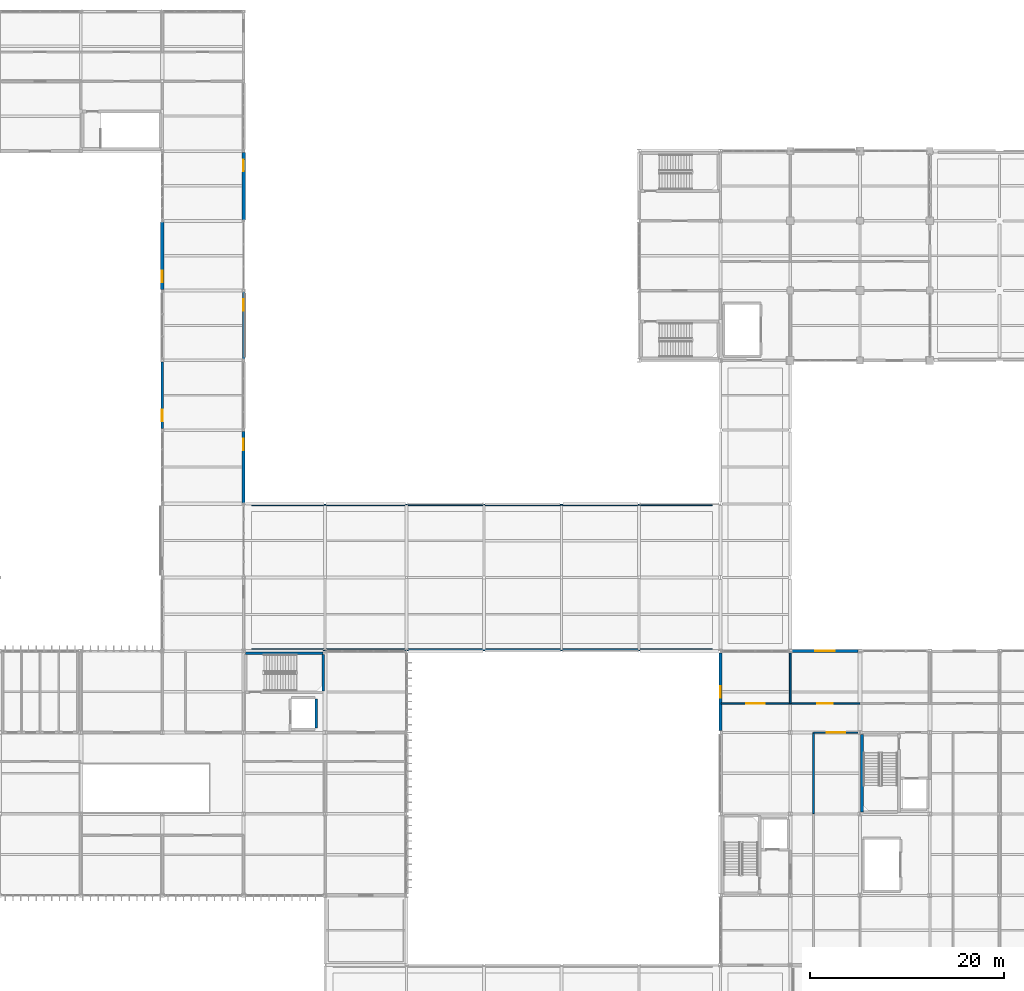
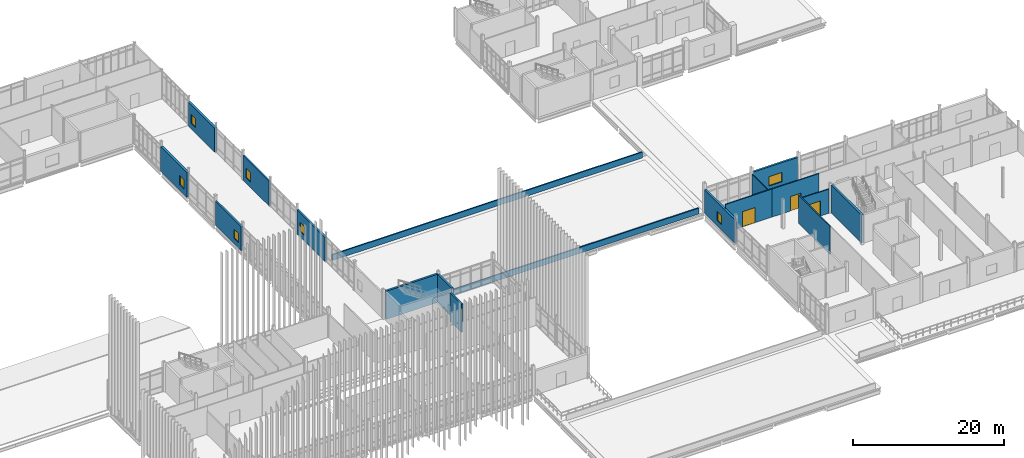
# One storey, part 129 of 153: 18 walls, 7 windows, 3 doors, 10 openings.
"""IFC4 building model written with IfcOpenShell, lengths in metres."""

from ifc_helpers import new_model, si_unit, direction, frame, frame_2d, origin, place, context, subcontext, project, spatial, rectangle, extrude, material, layer, layer_set, type_object, element, fill, save


model = new_model("IFC4")

# Units and contexts
model_context = context("Model", 3, precision=1e-05, world=origin(), true_north=direction((0.0, 1.0)))
body_context = subcontext(model_context, "Body", "Model", "MODEL_VIEW")
ifc_project = project(units=[si_unit("LENGTHUNIT", "METRE"), si_unit("AREAUNIT", "SQUARE_METRE"), si_unit("VOLUMEUNIT", "CUBIC_METRE"), si_unit("PLANEANGLEUNIT", "RADIAN"), si_unit("MASSUNIT", "GRAM", prefix="KILO")], contexts=[model_context])

# Site, building, storey
site_placement = place(None, origin())
site = spatial("IfcSite", under=ifc_project, at=site_placement, CompositionType="ELEMENT")
building_placement = place(site_placement, origin())
building = spatial("IfcBuilding", under=site, at=building_placement, Name="Calvrana Isthmian Art Gallery", CompositionType="ELEMENT")
storey_placement = place(building_placement, frame((0.0, 0.0, 10.199951171875)))
storey = spatial("IfcBuildingStorey", under=building, at=storey_placement, Name="L02", CompositionType="ELEMENT", Elevation=10.199951171875)

# Walls
ifc_material_1 = material(Name="Concrete C40/50", Category="concrete")
ifc_layer_1 = layer(ifc_material_1, 0.300048828125, Name="Concrete C40/50")
ifc_layer_set_1 = layer_set([ifc_layer_1], Name="Concrete C40/50")
wall_type_1 = type_object("IfcWallType", Name="CW-SHAFT-300", PredefinedType="SHEAR", material=ifc_layer_set_1)
wall_1_placement = place(storey_placement, frame((63.7900390625, 46.580078125, 0.0), z_axis=(0.0, 0.0, 1.0), x_axis=(1.0, 0.0, 0.0)))
element("IfcWall", 1, at=wall_1_placement, inside=storey, type_object=wall_type_1, Name="Core C2 shear wall N L02", PredefinedType="SHEAR", context=body_context, shape_type="SweptSolid", body=[
    extrude(rectangle(XDim=8.02001953125, YDim=0.300048828125, at=frame_2d((4.010009765625, 0.0))), origin(), (0.0, 0.0, 1.0), 4.56005859375),
])
wall_2_placement = place(storey_placement, frame((71.81005859375, 42.7099609375, 0.0), z_axis=(0.0, 0.0, 1.0), x_axis=(0.0, 1.0, 0.0)))
element("IfcWall", 2, at=wall_2_placement, inside=storey, type_object=wall_type_1, Name="Core C2 shear wall E L02", PredefinedType="SHEAR", context=body_context, shape_type="SweptSolid", body=[
    extrude(rectangle(XDim=3.719970703125, YDim=0.300048828125, at=frame_2d((1.85986328125, 0.0))), origin(), (0.0, 0.0, 1.0), 4.56005859375),
])
wall_3_placement = place(storey_placement, frame((127.39990234375, 30.18994140625, 0.0), z_axis=(0.0, 0.0, 1.0), x_axis=(0.0, 1.0, 0.0)))
element("IfcWall", 3, at=wall_3_placement, inside=storey, type_object=wall_type_1, Name="Core C4 shear wall W L02", PredefinedType="SHEAR", context=body_context, shape_type="SweptSolid", body=[
    extrude(rectangle(XDim=8.02001953125, YDim=0.300048828125, at=frame_2d((4.010009765625, 0.0))), origin(), (0.0, 0.0, 1.0), 4.56005859375),
])

# Wall, opening, window
ifc_material_2 = material(Name="Pale Isthmian limestone", Category="masonry")
ifc_layer_2 = layer(ifc_material_2, 0.300048828125, Name="Pale Isthmian limestone")
ifc_layer_set_2 = layer_set([ifc_layer_2], Name="Pale Isthmian limestone")
wall_type_2 = type_object("IfcWallType", Name="EW-LIME-300", PredefinedType="SOLIDWALL", material=ifc_layer_set_2)
wall_4_placement = place(storey_placement, frame((120.197998046875, 46.800048828125, 0.0), z_axis=(0.0, 0.0, 1.0), x_axis=(1.0, 0.0, 0.0)))
wall_4 = element("IfcWall", 4, at=wall_4_placement, inside=storey, type_object=wall_type_2, Name="Exterior wall EW-118", PredefinedType="SOLIDWALL", context=body_context, shape_type="SweptSolid", body=[
    extrude(rectangle(XDim=6.804931640625, YDim=0.300048828125, at=frame_2d((3.40234375, 0.0))), origin(), (0.0, 0.0, 1.0), 3.990966796875),
])
opening_1_placement = place(wall_4_placement, frame((2.402587890625, 0.0, 0.89990234375)))
opening_1 = element("IfcOpeningElement", 5, at=opening_1_placement, cuts=wall_4, Name="Opening W-076", PredefinedType="OPENING", context=body_context, shape_type="SweptSolid", body=[
    extrude(rectangle(XDim=2.0, YDim=1.5, at=frame_2d((1.0, 0.75))), frame((0.0, 0.16015625, 0.0), z_axis=(0.0, -1.0, 0.0), x_axis=(1.0, 0.0, 0.0)), (0.0, 0.0, 1.0), 0.320556640625),
])
ifc_material_3 = material(Name="Low-E laminated solar glass", Category="glass")
window_type_1 = type_object("IfcWindowType", Name="WN-G06", PartitioningType="DOUBLE_PANEL_VERTICAL", PredefinedType="WINDOW", material=ifc_material_3)
window_1_placement = place(opening_1_placement, origin())
window_1 = element("IfcWindow", 6, at=window_1_placement, inside=storey, type_object=window_type_1, Name="Facade window W-076", OverallHeight=1.5, OverallWidth=2.0, PartitioningType="SINGLE_PANEL", PredefinedType="WINDOW", context=body_context, shape_type="SweptSolid", body=[
    extrude(rectangle(XDim=2.0, YDim=1.5, at=frame_2d((1.0, 0.75))), frame((0.0, 0.030029296875, 0.0), z_axis=(0.0, -1.0, 0.0), x_axis=(1.0, 0.0, 0.0)), (0.0, 0.0, 1.0), 0.06005859375),
])
fill(opening_1, window_1)

wall_5_placement = place(storey_placement, frame((63.60009765625, 69.472900390625, 0.0), z_axis=(0.0, 0.0, 1.0), x_axis=(0.0, -1.0, 0.0)))
wall_5 = element("IfcWall", 7, at=wall_5_placement, inside=storey, type_object=wall_type_2, Name="Exterior wall EW-134", PredefinedType="SOLIDWALL", context=body_context, shape_type="SweptSolid", body=[
    extrude(rectangle(XDim=7.371337890625, YDim=0.300048828125, at=frame_2d((3.685546875, 0.0))), origin(), (0.0, 0.0, 1.0), 3.927978515625),
])
opening_2_placement = place(wall_5_placement, frame((0.75, 0.0, 0.89990234375)))
opening_2 = element("IfcOpeningElement", 8, at=opening_2_placement, cuts=wall_5, Name="Opening W-091", PredefinedType="OPENING", context=body_context, shape_type="SweptSolid", body=[
    extrude(rectangle(XDim=1.199951171875, YDim=1.5, at=frame_2d((0.60009765625, 0.75))), frame((0.0, 0.16015625, 0.0), z_axis=(0.0, -1.0, 0.0), x_axis=(1.0, 0.0, 0.0)), (0.0, 0.0, 1.0), 0.320556640625),
])
window_type_2 = type_object("IfcWindowType", Name="WN-G01", PartitioningType="SINGLE_PANEL", PredefinedType="WINDOW", material=ifc_material_3)
window_2_placement = place(opening_2_placement, origin())
window_2 = element("IfcWindow", 9, at=window_2_placement, inside=storey, type_object=window_type_2, Name="Facade window W-091", OverallHeight=1.5, OverallWidth=1.199951171875, PartitioningType="SINGLE_PANEL", PredefinedType="WINDOW", context=body_context, shape_type="SweptSolid", body=[
    extrude(rectangle(XDim=1.199951171875, YDim=1.5, at=frame_2d((0.60009765625, 0.75))), frame((0.0, 0.030029296875, 0.0), z_axis=(0.0, -1.0, 0.0), x_axis=(1.0, 0.0, 0.0)), (0.0, 0.0, 1.0), 0.06005859375),
])
fill(opening_2, window_2)

wall_6_placement = place(storey_placement, frame((112.800048828125, 38.590576171875, 0.0), z_axis=(0.0, 0.0, 1.0), x_axis=(0.0, 1.0, 0.0)))
wall_6 = element("IfcWall", 10, at=wall_6_placement, inside=storey, type_object=wall_type_2, Name="Exterior wall EW-138", PredefinedType="SOLIDWALL", context=body_context, shape_type="SweptSolid", body=[
    extrude(rectangle(XDim=8.016357421875, YDim=0.300048828125, at=frame_2d((4.00830078125, 0.0))), origin(), (0.0, 0.0, 1.0), 3.84716796875),
])
opening_3_placement = place(wall_6_placement, frame((3.408203125, 0.0, 0.89990234375)))
opening_3 = element("IfcOpeningElement", 11, at=opening_3_placement, cuts=wall_6, Name="Opening W-095", PredefinedType="OPENING", context=body_context, shape_type="SweptSolid", body=[
    extrude(rectangle(XDim=1.199951171875, YDim=1.5, at=frame_2d((0.60009765625, 0.75))), frame((0.0, 0.16015625, 0.0), z_axis=(0.0, -1.0, 0.0), x_axis=(1.0, 0.0, 0.0)), (0.0, 0.0, 1.0), 0.320556640625),
])
window_3_placement = place(opening_3_placement, origin())
window_3 = element("IfcWindow", 12, at=window_3_placement, inside=storey, type_object=window_type_2, Name="Facade window W-095", OverallHeight=1.5, OverallWidth=1.199951171875, PartitioningType="SINGLE_PANEL", PredefinedType="WINDOW", context=body_context, shape_type="SweptSolid", body=[
    extrude(rectangle(XDim=1.199951171875, YDim=1.5, at=frame_2d((0.60009765625, 0.75))), frame((0.0, 0.030029296875, 0.0), z_axis=(0.0, -1.0, 0.0), x_axis=(1.0, 0.0, 0.0)), (0.0, 0.0, 1.0), 0.06005859375),
])
fill(opening_3, window_3)

ifc_material_4 = material(Name="Precast concrete C40/50", Category="concrete")
ifc_layer_3 = layer(ifc_material_4, 0.35009765625, Name="Precast concrete C40/50")
ifc_layer_set_3 = layer_set([ifc_layer_3], Name="Precast concrete C40/50")
wall_type_3 = type_object("IfcWallType", Name="EW-PREC-350", PredefinedType="SOLIDWALL", material=ifc_layer_set_3)
wall_7_placement = place(storey_placement, frame((55.199951171875, 84.1015625, 0.0), z_axis=(0.0, 0.0, 1.0), x_axis=(0.0, 1.0, 0.0)))
wall_7 = element("IfcWall", 13, at=wall_7_placement, inside=storey, type_object=wall_type_3, Name="Exterior wall EW-132", PredefinedType="SOLIDWALL", context=body_context, shape_type="SweptSolid", body=[
    extrude(rectangle(XDim=6.971435546875, YDim=0.35009765625, at=frame_2d((3.48583984375, 0.0))), origin(), (0.0, 0.0, 1.0), 4.007080078125),
])
opening_4_placement = place(wall_7_placement, frame((0.75, 0.0, 0.89990234375)))
opening_4 = element("IfcOpeningElement", 14, at=opening_4_placement, cuts=wall_7, Name="Opening W-089", PredefinedType="OPENING", context=body_context, shape_type="SweptSolid", body=[
    extrude(rectangle(XDim=1.199951171875, YDim=1.5, at=frame_2d((0.60009765625, 0.75))), frame((0.0, 0.185302734375, 0.0), z_axis=(0.0, -1.0, 0.0), x_axis=(1.0, 0.0, 0.0)), (0.0, 0.0, 1.0), 0.37060546875),
])
window_4_placement = place(opening_4_placement, origin())
window_4 = element("IfcWindow", 15, at=window_4_placement, inside=storey, type_object=window_type_2, Name="Facade window W-089", OverallHeight=1.5, OverallWidth=1.199951171875, PartitioningType="SINGLE_PANEL", PredefinedType="WINDOW", context=body_context, shape_type="SweptSolid", body=[
    extrude(rectangle(XDim=1.199951171875, YDim=1.5, at=frame_2d((0.60009765625, 0.75))), frame((0.0, 0.030029296875, 0.0), z_axis=(0.0, -1.0, 0.0), x_axis=(1.0, 0.0, 0.0)), (0.0, 0.0, 1.0), 0.06005859375),
])
fill(opening_4, window_4)

wall_8_placement = place(storey_placement, frame((63.60009765625, 98.27294921875, 0.0), z_axis=(0.0, 0.0, 1.0), x_axis=(0.0, -1.0, 0.0)))
wall_8 = element("IfcWall", 16, at=wall_8_placement, inside=storey, type_object=wall_type_3, Name="Exterior wall EW-136", PredefinedType="SOLIDWALL", context=body_context, shape_type="SweptSolid", body=[
    extrude(rectangle(XDim=6.971435546875, YDim=0.35009765625, at=frame_2d((3.48583984375, 0.0))), origin(), (0.0, 0.0, 1.0), 3.927978515625),
])
opening_5_placement = place(wall_8_placement, frame((0.75, 0.0, 0.89990234375)))
opening_5 = element("IfcOpeningElement", 17, at=opening_5_placement, cuts=wall_8, Name="Opening W-093", PredefinedType="OPENING", context=body_context, shape_type="SweptSolid", body=[
    extrude(rectangle(XDim=1.199951171875, YDim=1.5, at=frame_2d((0.60009765625, 0.75))), frame((0.0, 0.185302734375, 0.0), z_axis=(0.0, -1.0, 0.0), x_axis=(1.0, 0.0, 0.0)), (0.0, 0.0, 1.0), 0.37060546875),
])
window_5_placement = place(opening_5_placement, origin())
window_5 = element("IfcWindow", 18, at=window_5_placement, inside=storey, type_object=window_type_2, Name="Facade window W-093", OverallHeight=1.5, OverallWidth=1.199951171875, PartitioningType="SINGLE_PANEL", PredefinedType="WINDOW", context=body_context, shape_type="SweptSolid", body=[
    extrude(rectangle(XDim=1.199951171875, YDim=1.5, at=frame_2d((0.60009765625, 0.75))), frame((0.0, 0.030029296875, 0.0), z_axis=(0.0, -1.0, 0.0), x_axis=(1.0, 0.0, 0.0)), (0.0, 0.0, 1.0), 0.06005859375),
])
fill(opening_5, window_5)

ifc_material_5 = material(Name="Polychrome glazed terracotta", Category="masonry")
ifc_layer_4 = layer(ifc_material_5, 0.25, Name="Polychrome glazed terracotta")
ifc_layer_set_4 = layer_set([ifc_layer_4], Name="Polychrome glazed terracotta")
wall_type_4 = type_object("IfcWallType", Name="EW-TERRA-250", PredefinedType="SOLIDWALL", material=ifc_layer_set_4)
wall_9_placement = place(storey_placement, frame((55.199951171875, 69.75244140625, 0.0), z_axis=(0.0, 0.0, 1.0), x_axis=(0.0, 1.0, 0.0)))
wall_9 = element("IfcWall", 19, at=wall_9_placement, inside=storey, type_object=wall_type_4, Name="Exterior wall EW-131", PredefinedType="SOLIDWALL", context=body_context, shape_type="SweptSolid", body=[
    extrude(rectangle(XDim=6.895263671875, YDim=0.25, at=frame_2d((3.44775390625, 0.0))), origin(), (0.0, 0.0, 1.0), 3.927978515625),
])
opening_6_placement = place(wall_9_placement, frame((0.75, 0.0, 0.89990234375)))
opening_6 = element("IfcOpeningElement", 20, at=opening_6_placement, cuts=wall_9, Name="Opening W-088", PredefinedType="OPENING", context=body_context, shape_type="SweptSolid", body=[
    extrude(rectangle(XDim=1.199951171875, YDim=1.5, at=frame_2d((0.60009765625, 0.75))), frame((0.0, 0.13525390625, 0.0), z_axis=(0.0, -1.0, 0.0), x_axis=(1.0, 0.0, 0.0)), (0.0, 0.0, 1.0), 0.2705078125),
])
window_6_placement = place(opening_6_placement, origin())
window_6 = element("IfcWindow", 21, at=window_6_placement, inside=storey, type_object=window_type_2, Name="Facade window W-088", OverallHeight=1.5, OverallWidth=1.199951171875, PartitioningType="SINGLE_PANEL", PredefinedType="WINDOW", context=body_context, shape_type="SweptSolid", body=[
    extrude(rectangle(XDim=1.199951171875, YDim=1.5, at=frame_2d((0.60009765625, 0.75))), frame((0.0, 0.030029296875, 0.0), z_axis=(0.0, -1.0, 0.0), x_axis=(1.0, 0.0, 0.0)), (0.0, 0.0, 1.0), 0.06005859375),
])
fill(opening_6, window_6)

wall_10_placement = place(storey_placement, frame((63.60009765625, 83.84765625, 0.0), z_axis=(0.0, 0.0, 1.0), x_axis=(0.0, -1.0, 0.0)))
wall_10 = element("IfcWall", 22, at=wall_10_placement, inside=storey, type_object=wall_type_4, Name="Exterior wall EW-135", PredefinedType="SOLIDWALL", context=body_context, shape_type="SweptSolid", body=[
    extrude(rectangle(XDim=6.895263671875, YDim=0.25, at=frame_2d((3.44775390625, 0.0))), origin(), (0.0, 0.0, 1.0), 4.007080078125),
])
opening_7_placement = place(wall_10_placement, frame((0.75, 0.0, 0.89990234375)))
opening_7 = element("IfcOpeningElement", 23, at=opening_7_placement, cuts=wall_10, Name="Opening W-092", PredefinedType="OPENING", context=body_context, shape_type="SweptSolid", body=[
    extrude(rectangle(XDim=1.199951171875, YDim=1.5, at=frame_2d((0.60009765625, 0.75))), frame((0.0, 0.13525390625, 0.0), z_axis=(0.0, -1.0, 0.0), x_axis=(1.0, 0.0, 0.0)), (0.0, 0.0, 1.0), 0.2705078125),
])
window_7_placement = place(opening_7_placement, origin())
window_7 = element("IfcWindow", 24, at=window_7_placement, inside=storey, type_object=window_type_2, Name="Facade window W-092", OverallHeight=1.5, OverallWidth=1.199951171875, PartitioningType="SINGLE_PANEL", PredefinedType="WINDOW", context=body_context, shape_type="SweptSolid", body=[
    extrude(rectangle(XDim=1.199951171875, YDim=1.5, at=frame_2d((0.60009765625, 0.75))), frame((0.0, 0.030029296875, 0.0), z_axis=(0.0, -1.0, 0.0), x_axis=(1.0, 0.0, 0.0)), (0.0, 0.0, 1.0), 0.06005859375),
])
fill(opening_7, window_7)

# Wall
ifc_material_6 = material(Name="Acoustic gypsum ceiling", Category="gypsum")
ifc_layer_5 = layer(ifc_material_6, 0.159912109375, Name="Acoustic gypsum ceiling")
ifc_layer_set_5 = layer_set([ifc_layer_5], Name="Acoustic gypsum ceiling")
wall_type_5 = type_object("IfcWallType", Name="PW-GAL-160", PredefinedType="PARTITIONING", material=ifc_layer_set_5)
wall_11_placement = place(storey_placement, frame((122.39990234375, 30.02001953125, 0.0), z_axis=(0.0, 0.0, 1.0), x_axis=(0.0, 1.0, 0.0)))
element("IfcWall", 25, at=wall_11_placement, inside=storey, type_object=wall_type_5, Name="Interior partition PW-473", PredefinedType="PARTITIONING", context=body_context, shape_type="SweptSolid", body=[
    extrude(rectangle(XDim=8.35986328125, YDim=0.159912109375, at=frame_2d((4.179931640625, 0.0))), origin(), (0.0, 0.0, 1.0), 4.5400390625),
])

# Wall, opening, door
wall_12_placement = place(storey_placement, frame((122.39990234375, 38.39990234375, 0.0), z_axis=(0.0, 0.0, 1.0), x_axis=(1.0, 0.0, 0.0)))
wall_12 = element("IfcWall", 26, at=wall_12_placement, inside=storey, type_object=wall_type_5, Name="Interior partition PW-474", PredefinedType="PARTITIONING", context=body_context, shape_type="SweptSolid", body=[
    extrude(rectangle(XDim=4.5986328125, YDim=0.159912109375, at=frame_2d((2.29931640625, 0.0))), origin(), (0.0, 0.0, 1.0), 3.93310546875),
])
opening_8_placement = place(wall_12_placement, frame((1.349365234375, 0.0, 0.0)))
opening_8 = element("IfcOpeningElement", 27, at=opening_8_placement, cuts=wall_12, Name="Opening D-442", PredefinedType="OPENING", context=body_context, shape_type="SweptSolid", body=[
    extrude(rectangle(XDim=1.89990234375, YDim=2.449951171875, at=frame_2d((0.949951171875, 1.22509765625))), frame((0.0, 0.09033203125, 0.0), z_axis=(0.0, -1.0, 0.0), x_axis=(1.0, 0.0, 0.0)), (0.0, 0.0, 1.0), 0.180419921875),
])
ifc_material_7 = material(Name="Timber gallery flooring", Category="wood")
door_type_1 = type_object("IfcDoorType", Name="DR-GAL-1900", OperationType="DOUBLE_DOOR_SINGLE_SWING", PredefinedType="DOOR", material=ifc_material_7)
door_1_placement = place(opening_8_placement, origin())
door_1 = element("IfcDoor", 28, at=door_1_placement, inside=storey, type_object=door_type_1, Name="Interior door D-442", OperationType="DOUBLE_DOOR_SINGLE_SWING", OverallHeight=2.449951171875, OverallWidth=1.89990234375, PredefinedType="DOOR", context=body_context, shape_type="SweptSolid", body=[
    extrude(rectangle(XDim=1.89990234375, YDim=2.449951171875, at=frame_2d((0.949951171875, 1.22509765625))), frame((0.0, 0.02490234375, 0.0), z_axis=(0.0, -1.0, 0.0), x_axis=(1.0, 0.0, 0.0)), (0.0, 0.0, 1.0), 0.050048828125),
])
fill(opening_8, door_1)

wall_13_placement = place(storey_placement, frame((112.860107421875, 41.409912109375, 0.0), z_axis=(0.0, 0.0, 1.0), x_axis=(1.0, 0.0, 0.0)))
wall_13 = element("IfcWall", 29, at=wall_13_placement, inside=storey, type_object=wall_type_5, Name="Interior partition PW-485", PredefinedType="PARTITIONING", context=body_context, shape_type="SweptSolid", body=[
    extrude(rectangle(XDim=7.1298828125, YDim=0.159912109375, at=frame_2d((3.56494140625, 0.0))), origin(), (0.0, 0.0, 1.0), 4.5400390625),
])
opening_9_placement = place(wall_13_placement, frame((2.614990234375, 0.0, 0.0)))
opening_9 = element("IfcOpeningElement", 30, at=opening_9_placement, cuts=wall_13, Name="Opening D-446", PredefinedType="OPENING", context=body_context, shape_type="SweptSolid", body=[
    extrude(rectangle(XDim=1.89990234375, YDim=2.449951171875, at=frame_2d((0.949951171875, 1.22509765625))), frame((0.0, 0.09033203125, 0.0), z_axis=(0.0, -1.0, 0.0), x_axis=(1.0, 0.0, 0.0)), (0.0, 0.0, 1.0), 0.180419921875),
])
door_2_placement = place(opening_9_placement, origin())
door_2 = element("IfcDoor", 31, at=door_2_placement, inside=storey, type_object=door_type_1, Name="Interior door D-446", OperationType="DOUBLE_DOOR_SINGLE_SWING", OverallHeight=2.449951171875, OverallWidth=1.89990234375, PredefinedType="DOOR", context=body_context, shape_type="SweptSolid", body=[
    extrude(rectangle(XDim=1.89990234375, YDim=2.449951171875, at=frame_2d((0.949951171875, 1.22509765625))), frame((0.0, 0.02490234375, 0.0), z_axis=(0.0, -1.0, 0.0), x_axis=(1.0, 0.0, 0.0)), (0.0, 0.0, 1.0), 0.050048828125),
])
fill(opening_9, door_2)

# Wall
wall_14_placement = place(storey_placement, frame((120.0, 41.419921875, 0.0), z_axis=(0.0, 0.0, 1.0), x_axis=(0.0, 1.0, 0.0)))
element("IfcWall", 32, at=wall_14_placement, inside=storey, type_object=wall_type_5, Name="Interior partition PW-486", PredefinedType="PARTITIONING", context=body_context, shape_type="SweptSolid", body=[
    extrude(rectangle(XDim=5.174560546875, YDim=0.159912109375, at=frame_2d((2.58740234375, 0.0))), origin(), (0.0, 0.0, 1.0), 3.76806640625),
])

# Wall, opening, door
wall_15_placement = place(storey_placement, frame((120.010009765625, 41.409912109375, 0.0), z_axis=(0.0, 0.0, 1.0), x_axis=(1.0, 0.0, 0.0)))
wall_15 = element("IfcWall", 33, at=wall_15_placement, inside=storey, type_object=wall_type_5, Name="Interior partition PW-487", PredefinedType="PARTITIONING", context=body_context, shape_type="SweptSolid", body=[
    extrude(rectangle(XDim=7.179931640625, YDim=0.159912109375, at=frame_2d((3.58984375, 0.0))), origin(), (0.0, 0.0, 1.0), 4.5400390625),
])
opening_10_placement = place(wall_15_placement, frame((2.7900390625, 0.0, 0.0)))
opening_10 = element("IfcOpeningElement", 34, at=opening_10_placement, cuts=wall_15, Name="Opening D-447", PredefinedType="OPENING", context=body_context, shape_type="SweptSolid", body=[
    extrude(rectangle(XDim=1.60009765625, YDim=2.35009765625, at=frame_2d((0.800048828125, 1.175048828125))), frame((0.0, 0.09033203125, 0.0), z_axis=(0.0, -1.0, 0.0), x_axis=(1.0, 0.0, 0.0)), (0.0, 0.0, 1.0), 0.180419921875),
])
door_type_2 = type_object("IfcDoorType", Name="DR-GAL-1600", OperationType="DOUBLE_DOOR_SINGLE_SWING", PredefinedType="DOOR", material=ifc_material_7)
door_3_placement = place(opening_10_placement, origin())
door_3 = element("IfcDoor", 35, at=door_3_placement, inside=storey, type_object=door_type_2, Name="Interior door D-447", OperationType="DOUBLE_DOOR_SINGLE_SWING", OverallHeight=2.35009765625, OverallWidth=1.60009765625, PredefinedType="DOOR", context=body_context, shape_type="SweptSolid", body=[
    extrude(rectangle(XDim=1.60009765625, YDim=2.35009765625, at=frame_2d((0.800048828125, 1.175048828125))), frame((0.0, 0.02490234375, 0.0), z_axis=(0.0, -1.0, 0.0), x_axis=(1.0, 0.0, 0.0)), (0.0, 0.0, 1.0), 0.050048828125),
])
fill(opening_10, door_3)

# Walls
ifc_material_8 = material(Name="Concrete C35/45", Category="concrete")
ifc_layer_6 = layer(ifc_material_8, 0.25, Name="Concrete C35/45")
ifc_layer_set_6 = layer_set([ifc_layer_6], Name="Concrete C35/45")
wall_type_6 = type_object("IfcWallType", Name="PW-SHAFT-250", PredefinedType="PARTITIONING", material=ifc_layer_set_6)
wall_16_placement = place(storey_placement, frame((71.080078125, 38.85009765625, 0.0), z_axis=(0.0, 0.0, 1.0), x_axis=(0.0, 1.0, 0.0)))
element("IfcWall", 36, at=wall_16_placement, inside=storey, type_object=wall_type_6, Name="Lift EL-02 shaft wall E L02", PredefinedType="PARTITIONING", context=body_context, shape_type="SweptSolid", body=[
    extrude(rectangle(XDim=3.0, YDim=0.25, at=frame_2d((1.5, 0.0))), origin(), (0.0, 0.0, 1.0), 4.56005859375),
])
ifc_layer_7 = layer(ifc_material_2, 0.199951171875, Name="Pale Isthmian limestone")
ifc_layer_set_7 = layer_set([ifc_layer_7], Name="Pale Isthmian limestone")
wall_type_7 = type_object("IfcWallType", Name="WL-PARA-200", PredefinedType="PARAPET", material=ifc_layer_set_7)
for number, where, z_axis, x_axis, name in (
    (37, (64.449951171875, 46.919921875, 0.0), (0.0, 0.0, 1.0), (1.0, 0.0, 0.0), "Roof parapet WP-20"),
    (38, (64.449951171875, 61.8798828125, 0.0), (0.0, 0.0, 1.0), (1.0, 0.0, 0.0), "Roof parapet WP-21"),
):
    element("IfcWall", number, at=place(storey_placement, frame(where, z_axis=z_axis, x_axis=x_axis)), inside=storey, type_object=wall_type_7, Name=name, PredefinedType="PARAPET", context=body_context, shape_type="SweptSolid", body=[
        extrude(rectangle(XDim=47.5, YDim=0.199951171875, at=frame_2d((23.75, 0.0))), origin(), (0.0, 0.0, 1.0), 0.949951171875),
    ])

save(model, "model.ifc")
